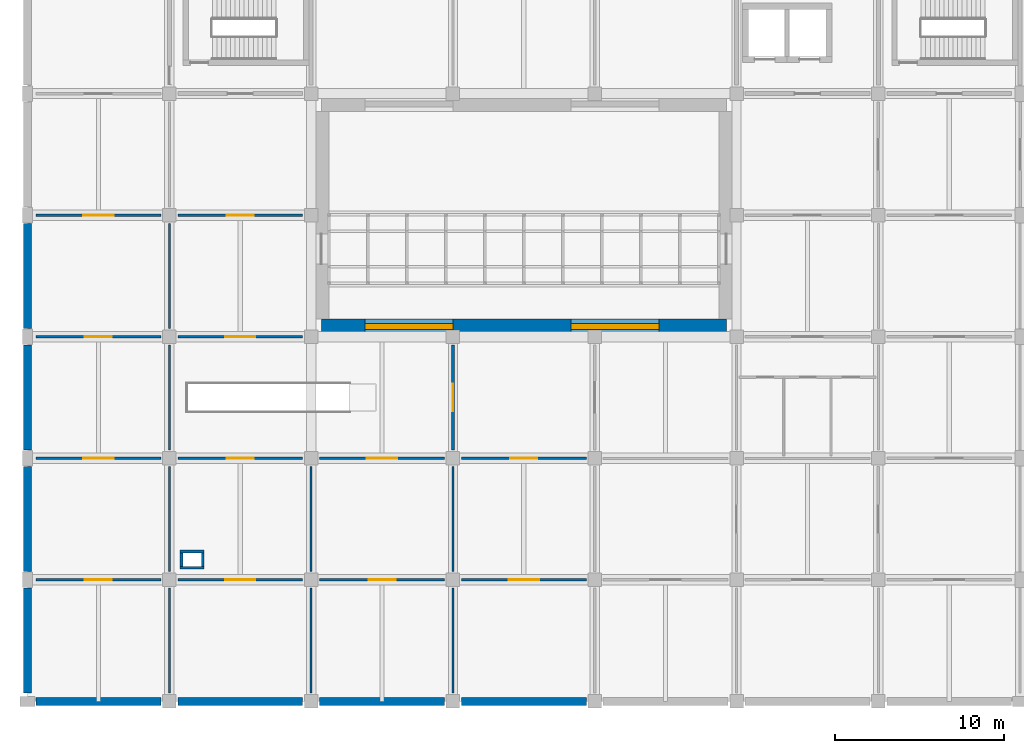
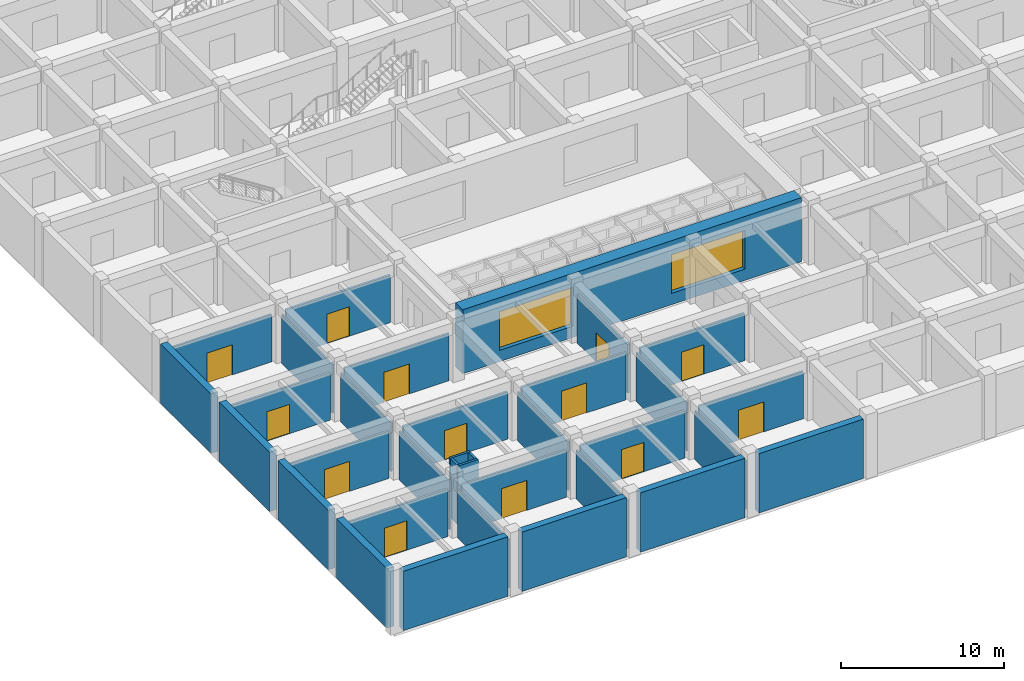
# One storey, part 16 of 32: 34 walls, 13 doors, 2 windows, 15 openings.
"""IFC4 building model written with IfcOpenShell, lengths in metres."""

import ifcopenshell
import ifcopenshell.guid

model = None  # the IFC model being written
_history = None  # IfcOwnerHistory: only IFC2X3 demands one
_inside = {}  # id of a spatial element -> (the spatial element, [elements in it])
_under = {}  # id of a project, library or spatial element -> (it, [spatial elements below it])
_declared = {}  # id of a project -> (the project, [libraries it declares])
_typed = {}  # id of a type object -> (the type object, [elements of that type])
_made_of = {}  # id of a material, layer set ... -> (it, [elements and type objects made of it])


def new_model(schema):
    """Start an empty IFC model of exactly this schema.

    Asked for "IFC4X3", IfcOpenShell would pick the latest addendum, in which some entities
    have other attributes; the version numbers below select the first issue.
    IFC2X3 requires an IfcOwnerHistory on every rooted entity: one is made here for all.
    """
    global model, _history
    if schema == "IFC4X3":
        model = ifcopenshell.file(schema_version=(4, 3, 0, 0))
    else:
        model = ifcopenshell.file(schema=schema)
    _inside.clear()
    _under.clear()
    _declared.clear()
    _typed.clear()
    _made_of.clear()
    _history = None
    if model.schema == "IFC2X3":
        org = make("IfcOrganization", Name="unknown")
        user = make(
            "IfcPersonAndOrganization",
            ThePerson=make("IfcPerson", FamilyName="unknown"),
            TheOrganization=org,
        )
        app = make(
            "IfcApplication",
            ApplicationDeveloper=org,
            Version="unknown",
            ApplicationFullName="unknown",
            ApplicationIdentifier="unknown",
        )
        _history = make(
            "IfcOwnerHistory",
            OwningUser=user,
            OwningApplication=app,
            ChangeAction="ADDED",
            CreationDate=0,
        )
    return model


def make(cls, **values):
    """One entity of the class cls with the attributes given. An attribute that is None is left unset."""
    return model.create_entity(
        cls, **{name: value for name, value in values.items() if value is not None}
    )


def rooted(cls, **values):
    """An entity with a GlobalId (a new one), such as an element, a storey or a relation."""
    return make(cls, GlobalId=ifcopenshell.guid.new(), OwnerHistory=_history, **values)


def si_unit(unit_type, name, prefix=None):
    """IfcSIUnit, for example si_unit("LENGTHUNIT", "METRE", prefix="MILLI")."""
    return make("IfcSIUnit", UnitType=unit_type, Prefix=prefix, Name=name)


def derived_unit(unit_type, elements):
    """IfcDerivedUnit: a product of units, each with its exponent."""
    return make(
        "IfcDerivedUnit",
        Elements=[
            make("IfcDerivedUnitElement", Unit=unit, Exponent=power)
            for unit, power in elements
        ],
        UnitType=unit_type,
    )


def assignment(units):
    """IfcUnitAssignment: the units of a project."""
    return None if units is None else make("IfcUnitAssignment", Units=units)


def point(xyz):
    """IfcCartesianPoint."""
    return None if xyz is None else make("IfcCartesianPoint", Coordinates=xyz)


def direction(xyz):
    """IfcDirection."""
    return None if xyz is None else make("IfcDirection", DirectionRatios=xyz)


def frame(location, z_axis=None, x_axis=None):
    """IfcAxis2Placement3D, a coordinate frame: its origin and axes. An axis left out is left unset."""
    return make(
        "IfcAxis2Placement3D",
        Location=point(location),
        Axis=direction(z_axis),
        RefDirection=direction(x_axis),
    )


def frame_2d(location, x_axis=None):
    """IfcAxis2Placement2D, a coordinate frame in the plane: its origin and x axis."""
    return make(
        "IfcAxis2Placement2D", Location=point(location), RefDirection=direction(x_axis)
    )


def origin():
    """The frame at (0, 0, 0) with its axes left unset."""
    return frame((0.0, 0.0, 0.0))


def place(relative_to, where):
    """IfcLocalPlacement: puts the frame where relative to a parent placement (None: the world)."""
    return make(
        "IfcLocalPlacement", PlacementRelTo=relative_to, RelativePlacement=where
    )


def context(
    kind, dimensions, precision=None, world=None, true_north=None, identifier=None
):
    """IfcGeometricRepresentationContext, for example the 3D "Model" context."""
    return make(
        "IfcGeometricRepresentationContext",
        ContextIdentifier=identifier,
        ContextType=kind,
        CoordinateSpaceDimension=dimensions,
        Precision=precision,
        WorldCoordinateSystem=world,
        TrueNorth=true_north,
    )


def subcontext(parent, identifier, kind, view, scale=None):
    """IfcGeometricRepresentationSubContext, for example "Body" below "Model"."""
    return make(
        "IfcGeometricRepresentationSubContext",
        ContextIdentifier=identifier,
        ContextType=kind,
        ParentContext=parent,
        TargetScale=scale,
        TargetView=view,
    )


def project(units=None, contexts=None):
    """IfcProject with its units and contexts."""
    return rooted(
        "IfcProject",
        Name="project",
        RepresentationContexts=contexts,
        UnitsInContext=assignment(units),
    )


def spatial(cls, under=None, at=None, **own):
    """A site, building, storey or space (cls), placed at a placement, below another one or the project."""
    s = rooted(cls, ObjectPlacement=at, **own)
    if under is not None:
        _under.setdefault(under.id(), (under, []))[1].append(s)
    return s


def profile(cls, at=None, kind="AREA", **sizes):
    """A parametric profile (cls). Its sizes go by their IFC names, for example OverallWidth=200.0."""
    return make(cls, ProfileType=kind, Position=at, **sizes)


def rectangle(**sizes):
    """IfcRectangleProfileDef."""
    return profile("IfcRectangleProfileDef", **sizes)


def extrude(swept, where, along, depth):
    """IfcExtrudedAreaSolid: the profile swept, set in the frame where, extruded along a direction by depth."""
    return make(
        "IfcExtrudedAreaSolid",
        SweptArea=swept,
        Position=where,
        ExtrudedDirection=direction(along),
        Depth=depth,
    )


def shape(context_of_items, identifier, shape_type, items):
    """IfcShapeRepresentation: the items that make up one representation, for example the "Body"."""
    return make(
        "IfcShapeRepresentation",
        ContextOfItems=context_of_items,
        RepresentationIdentifier=identifier,
        RepresentationType=shape_type,
        Items=items,
    )


def material(Name=None, Category=None):
    """IfcMaterial."""
    return make("IfcMaterial", Name=Name, Category=Category)


def layer(
    of_material, thickness, ventilated=None, Name=None, Category=None, Priority=None
):
    """IfcMaterialLayer: one layer of a wall or slab, of a material (None: an air gap)."""
    return make(
        "IfcMaterialLayer",
        Material=of_material,
        LayerThickness=thickness,
        IsVentilated=ventilated,
        Name=Name,
        Category=Category,
        Priority=Priority,
    )


def layer_set(layers, Name=None):
    """IfcMaterialLayerSet."""
    return make("IfcMaterialLayerSet", MaterialLayers=layers, LayerSetName=Name)


def made_of(thing, what):
    """Note that an element or type object is made of a material, layer set ...; save() writes the relation."""
    if what is not None:
        _made_of.setdefault(what.id(), (what, []))[1].append(thing)
    return thing


def type_object(cls, material=None, **own):
    """A type object (cls), such as IfcWallType, which elements share."""
    return made_of(rooted(cls, **own), material)


def element(
    cls,
    number,
    at=None,
    inside=None,
    cuts=None,
    type_object=None,
    material=None,
    context=None,
    identifier="Body",
    shape_type=None,
    held_by="IfcProductDefinitionShape",
    body=None,
    shapes=None,
    **own,
):
    """One element of the class cls, such as IfcWall. Its Tag is "e" and its number.

    at: its placement. inside: the storey or other place that contains it. cuts: it is an
    opening in that element (IfcRelVoidsElement). A single representation is given by context,
    identifier, shape_type and body (its items); several are given by shapes. held_by: the class
    of the entity that holds the representations. save() writes the other relations.
    """
    e = rooted(cls, Tag="e%d" % number, ObjectPlacement=at, **own)
    if body is not None:
        shapes = [shape(context, identifier, shape_type, body)]
    if shapes is not None:
        e.Representation = make(held_by, Representations=shapes)
    if inside is not None:
        _inside.setdefault(inside.id(), (inside, []))[1].append(e)
    if cuts is not None:
        rooted(
            "IfcRelVoidsElement", RelatingBuildingElement=cuts, RelatedOpeningElement=e
        )
    if type_object is not None:
        _typed.setdefault(type_object.id(), (type_object, []))[1].append(e)
    return made_of(e, material)


def fill(opening, filler):
    """IfcRelFillsElement: the door or window that sits in an opening."""
    return rooted(
        "IfcRelFillsElement",
        RelatingOpeningElement=opening,
        RelatedBuildingElement=filler,
    )


def aggregate(whole, parts):
    """IfcRelAggregates: a whole, such as a stair, and the parts it consists of."""
    return rooted("IfcRelAggregates", RelatingObject=whole, RelatedObjects=parts)


def save(model, path):
    """Write the relations noted so far, then the file.

    IfcRelAggregates (storeys below a building ...), IfcRelContainedInSpatialStructure (elements
    in a storey), IfcRelDefinesByType, IfcRelAssociatesMaterial and IfcRelDeclares: one each for
    every whole, place, type object, material and project.
    """
    for whole, parts in _under.values():
        aggregate(whole, parts)
    for where, things in _inside.values():
        rooted(
            "IfcRelContainedInSpatialStructure",
            RelatedElements=things,
            RelatingStructure=where,
        )
    for kind, things in _typed.values():
        rooted("IfcRelDefinesByType", RelatedObjects=things, RelatingType=kind)
    for what, things in _made_of.values():
        rooted("IfcRelAssociatesMaterial", RelatedObjects=things, RelatingMaterial=what)
    for by, libraries in _declared.values():
        rooted("IfcRelDeclares", RelatingContext=by, RelatedDefinitions=libraries)
    model.write(path)


model = new_model("IFC4")

# Units and contexts
model_context = context("Model", 3, precision=1e-05, world=origin(), true_north=direction((0.0, 1.0)))
body_context = subcontext(model_context, "Body", "Model", "MODEL_VIEW")
ifc_project = project(units=[si_unit("LENGTHUNIT", "METRE"), si_unit("AREAUNIT", "SQUARE_METRE"), si_unit("VOLUMEUNIT", "CUBIC_METRE"), si_unit("PLANEANGLEUNIT", "RADIAN"), si_unit("MASSUNIT", "GRAM", prefix="KILO"), derived_unit("THERMALTRANSMITTANCEUNIT", [(si_unit("MASSUNIT", "GRAM", prefix="KILO"), 1), (si_unit("TIMEUNIT", "SECOND"), -3), (si_unit("THERMODYNAMICTEMPERATUREUNIT", "KELVIN"), -1)])], contexts=[model_context])

# Site, building, storey
site_placement = place(None, origin())
site = spatial("IfcSite", under=ifc_project, at=site_placement, CompositionType="ELEMENT")
building_placement = place(site_placement, origin())
building = spatial("IfcBuilding", under=site, at=building_placement, Name="Veldstrom Oceanarium and Marine Research Institute", CompositionType="ELEMENT")
storey_placement = place(building_placement, frame((0.0, 0.0, -4.800048828125)))
storey = spatial("IfcBuildingStorey", under=building, at=storey_placement, Name="B01", CompositionType="ELEMENT", Elevation=-4.800048828125)

# Wall, opening, door
ifc_material_1 = material(Name="Drywall Corridor Partition", Category="gypsum")
ifc_layer_1 = layer(ifc_material_1, 0.155029296875)
ifc_layer_set_1 = layer_set([ifc_layer_1], Name="ARC-WAL-PT4")
wall_type_1 = type_object("IfcWallType", Name="ARC-WAL-PT4", PredefinedType="PARTITIONING", material=ifc_layer_set_1)
wall_1_placement = place(storey_placement, frame((0.5, 7.199951171875, 0.0), z_axis=(0.0, 0.0, 1.0), x_axis=(1.0, 0.0, 0.0)))
wall_1 = element("IfcWall", 1, at=wall_1_placement, inside=storey, type_object=wall_type_1, Name="Interior Partition PT4 B01-0299", PredefinedType="PARTITIONING", context=body_context, shape_type="SweptSolid", body=[
    extrude(rectangle(XDim=7.39990234375, YDim=0.155029296875, at=frame_2d((3.699951171875, 0.0))), origin(), (0.0, 0.0, 1.0), 3.545166015625),
])
opening_1_placement = place(wall_1_placement, frame((2.89990234375, 0.0, 0.0)))
opening_1 = element("IfcOpeningElement", 2, at=opening_1_placement, cuts=wall_1, Name="Opening D-B01-175", PredefinedType="OPENING", context=body_context, shape_type="SweptSolid", body=[
    extrude(rectangle(XDim=1.60009765625, YDim=2.199951171875, at=frame_2d((0.800048828125, 1.10009765625))), frame((0.0, 0.08740234375, 0.0), z_axis=(0.0, -1.0, 0.0), x_axis=(1.0, 0.0, 0.0)), (0.0, 0.0, 1.0), 0.175048828125),
])
ifc_material_2 = material(Name="Acoustic Timber Corridor Door", Category="wood")
door_type_1 = type_object("IfcDoorType", Name="ARC-DOR-ID02", OperationType="DOUBLE_DOOR_SINGLE_SWING", PredefinedType="DOOR", material=ifc_material_2)
door_1_placement = place(opening_1_placement, frame((1.60009765625, 0.0, 0.0), z_axis=(0.0, 0.0, 1.0), x_axis=(-1.0, 0.0, 0.0)))
door_1 = element("IfcDoor", 3, at=door_1_placement, inside=storey, type_object=door_type_1, Name="Interior Door D-B01-175", OperationType="DOUBLE_DOOR_SINGLE_SWING", OverallHeight=2.199951171875, OverallWidth=1.60009765625, PredefinedType="DOOR", context=body_context, shape_type="SweptSolid", body=[
    extrude(rectangle(XDim=1.60009765625, YDim=2.199951171875, at=frame_2d((0.800048828125, 1.10009765625))), frame((0.0, 0.02490234375, 0.0), z_axis=(0.0, -1.0, 0.0), x_axis=(1.0, 0.0, 0.0)), (0.0, 0.0, 1.0), 0.050048828125),
])
fill(opening_1, door_1)

wall_2_placement = place(storey_placement, frame((0.5, 21.60009765625, 0.0), z_axis=(0.0, 0.0, 1.0), x_axis=(1.0, 0.0, 0.0)))
wall_2 = element("IfcWall", 4, at=wall_2_placement, inside=storey, type_object=wall_type_1, Name="Interior Partition PT4 B01-0303", PredefinedType="PARTITIONING", context=body_context, shape_type="SweptSolid", body=[
    extrude(rectangle(XDim=7.39990234375, YDim=0.155029296875, at=frame_2d((3.699951171875, 0.0))), origin(), (0.0, 0.0, 1.0), 3.545166015625),
])
opening_2_placement = place(wall_2_placement, frame((2.89990234375, 0.0, 0.0)))
opening_2 = element("IfcOpeningElement", 5, at=opening_2_placement, cuts=wall_2, Name="Opening D-B01-177", PredefinedType="OPENING", context=body_context, shape_type="SweptSolid", body=[
    extrude(rectangle(XDim=1.60009765625, YDim=2.199951171875, at=frame_2d((0.800048828125, 1.10009765625))), frame((0.0, 0.08740234375, 0.0), z_axis=(0.0, -1.0, 0.0), x_axis=(1.0, 0.0, 0.0)), (0.0, 0.0, 1.0), 0.175048828125),
])
door_2_placement = place(opening_2_placement, frame((1.60009765625, 0.0, 0.0), z_axis=(0.0, 0.0, 1.0), x_axis=(-1.0, 0.0, 0.0)))
door_2 = element("IfcDoor", 6, at=door_2_placement, inside=storey, type_object=door_type_1, Name="Interior Door D-B01-177", OperationType="DOUBLE_DOOR_SINGLE_SWING", OverallHeight=2.199951171875, OverallWidth=1.60009765625, PredefinedType="DOOR", context=body_context, shape_type="SweptSolid", body=[
    extrude(rectangle(XDim=1.60009765625, YDim=2.199951171875, at=frame_2d((0.800048828125, 1.10009765625))), frame((0.0, 0.02490234375, 0.0), z_axis=(0.0, -1.0, 0.0), x_axis=(1.0, 0.0, 0.0)), (0.0, 0.0, 1.0), 0.050048828125),
])
fill(opening_2, door_2)

wall_3_placement = place(storey_placement, frame((8.89990234375, 14.39990234375, 0.0), z_axis=(0.0, 0.0, 1.0), x_axis=(1.0, 0.0, 0.0)))
wall_3 = element("IfcWall", 7, at=wall_3_placement, inside=storey, type_object=wall_type_1, Name="Interior Partition PT4 B01-0320", PredefinedType="PARTITIONING", context=body_context, shape_type="SweptSolid", body=[
    extrude(rectangle(XDim=7.400146484375, YDim=0.155029296875, at=frame_2d((3.7001953125, 0.0))), origin(), (0.0, 0.0, 1.0), 3.545166015625),
])
opening_3_placement = place(wall_3_placement, frame((2.89990234375, 0.0, 0.0)))
opening_3 = element("IfcOpeningElement", 8, at=opening_3_placement, cuts=wall_3, Name="Opening D-B01-187", PredefinedType="OPENING", context=body_context, shape_type="SweptSolid", body=[
    extrude(rectangle(XDim=1.60009765625, YDim=2.199951171875, at=frame_2d((0.800048828125, 1.10009765625))), frame((0.0, 0.08740234375, 0.0), z_axis=(0.0, -1.0, 0.0), x_axis=(1.0, 0.0, 0.0)), (0.0, 0.0, 1.0), 0.175048828125),
])
door_3_placement = place(opening_3_placement, frame((1.60009765625, 0.0, 0.0), z_axis=(0.0, 0.0, 1.0), x_axis=(-1.0, 0.0, 0.0)))
door_3 = element("IfcDoor", 9, at=door_3_placement, inside=storey, type_object=door_type_1, Name="Interior Door D-B01-187", OperationType="DOUBLE_DOOR_SINGLE_SWING", OverallHeight=2.199951171875, OverallWidth=1.60009765625, PredefinedType="DOOR", context=body_context, shape_type="SweptSolid", body=[
    extrude(rectangle(XDim=1.60009765625, YDim=2.199951171875, at=frame_2d((0.800048828125, 1.10009765625))), frame((0.0, 0.02490234375, 0.0), z_axis=(0.0, -1.0, 0.0), x_axis=(1.0, 0.0, 0.0)), (0.0, 0.0, 1.0), 0.050048828125),
])
fill(opening_3, door_3)

wall_4_placement = place(storey_placement, frame((8.89990234375, 28.800048828125, 0.0), z_axis=(0.0, 0.0, 1.0), x_axis=(1.0, 0.0, 0.0)))
wall_4 = element("IfcWall", 10, at=wall_4_placement, inside=storey, type_object=wall_type_1, Name="Interior Partition PT4 B01-0322", PredefinedType="PARTITIONING", context=body_context, shape_type="SweptSolid", body=[
    extrude(rectangle(XDim=7.400146484375, YDim=0.155029296875, at=frame_2d((3.7001953125, 0.0))), origin(), (0.0, 0.0, 1.0), 3.545166015625),
])
opening_4_placement = place(wall_4_placement, frame((2.89990234375, 0.0, 0.0)))
opening_4 = element("IfcOpeningElement", 11, at=opening_4_placement, cuts=wall_4, Name="Opening D-B01-189", PredefinedType="OPENING", context=body_context, shape_type="SweptSolid", body=[
    extrude(rectangle(XDim=1.60009765625, YDim=2.199951171875, at=frame_2d((0.800048828125, 1.10009765625))), frame((0.0, 0.08740234375, 0.0), z_axis=(0.0, -1.0, 0.0), x_axis=(1.0, 0.0, 0.0)), (0.0, 0.0, 1.0), 0.175048828125),
])
door_4_placement = place(opening_4_placement, frame((1.60009765625, 0.0, 0.0), z_axis=(0.0, 0.0, 1.0), x_axis=(-1.0, 0.0, 0.0)))
door_4 = element("IfcDoor", 12, at=door_4_placement, inside=storey, type_object=door_type_1, Name="Interior Door D-B01-189", OperationType="DOUBLE_DOOR_SINGLE_SWING", OverallHeight=2.199951171875, OverallWidth=1.60009765625, PredefinedType="DOOR", context=body_context, shape_type="SweptSolid", body=[
    extrude(rectangle(XDim=1.60009765625, YDim=2.199951171875, at=frame_2d((0.800048828125, 1.10009765625))), frame((0.0, 0.02490234375, 0.0), z_axis=(0.0, -1.0, 0.0), x_axis=(1.0, 0.0, 0.0)), (0.0, 0.0, 1.0), 0.050048828125),
])
fill(opening_4, door_4)

wall_5_placement = place(storey_placement, frame((17.300048828125, 7.199951171875, 0.0), z_axis=(0.0, 0.0, 1.0), x_axis=(1.0, 0.0, 0.0)))
wall_5 = element("IfcWall", 13, at=wall_5_placement, inside=storey, type_object=wall_type_1, Name="Interior Partition PT4 B01-0334", PredefinedType="PARTITIONING", context=body_context, shape_type="SweptSolid", body=[
    extrude(rectangle(XDim=7.39990234375, YDim=0.155029296875, at=frame_2d((3.699951171875, 0.0))), origin(), (0.0, 0.0, 1.0), 3.545166015625),
])
opening_5_placement = place(wall_5_placement, frame((2.89990234375, 0.0, 0.0)))
opening_5 = element("IfcOpeningElement", 14, at=opening_5_placement, cuts=wall_5, Name="Opening D-B01-195", PredefinedType="OPENING", context=body_context, shape_type="SweptSolid", body=[
    extrude(rectangle(XDim=1.60009765625, YDim=2.199951171875, at=frame_2d((0.800048828125, 1.10009765625))), frame((0.0, 0.08740234375, 0.0), z_axis=(0.0, -1.0, 0.0), x_axis=(1.0, 0.0, 0.0)), (0.0, 0.0, 1.0), 0.175048828125),
])
door_5_placement = place(opening_5_placement, frame((1.60009765625, 0.0, 0.0), z_axis=(0.0, 0.0, 1.0), x_axis=(-1.0, 0.0, 0.0)))
door_5 = element("IfcDoor", 15, at=door_5_placement, inside=storey, type_object=door_type_1, Name="Interior Door D-B01-195", OperationType="DOUBLE_DOOR_SINGLE_SWING", OverallHeight=2.199951171875, OverallWidth=1.60009765625, PredefinedType="DOOR", context=body_context, shape_type="SweptSolid", body=[
    extrude(rectangle(XDim=1.60009765625, YDim=2.199951171875, at=frame_2d((0.800048828125, 1.10009765625))), frame((0.0, 0.02490234375, 0.0), z_axis=(0.0, -1.0, 0.0), x_axis=(1.0, 0.0, 0.0)), (0.0, 0.0, 1.0), 0.050048828125),
])
fill(opening_5, door_5)

wall_6_placement = place(storey_placement, frame((25.199951171875, 14.89990234375, 0.0), z_axis=(0.0, 0.0, 1.0), x_axis=(0.0, 1.0, 0.0)))
wall_6 = element("IfcWall", 16, at=wall_6_placement, inside=storey, type_object=wall_type_1, Name="Interior Partition PT4 B01-0337", PredefinedType="PARTITIONING", context=body_context, shape_type="SweptSolid", body=[
    extrude(rectangle(XDim=6.2001953125, YDim=0.155029296875, at=frame_2d((3.10009765625, 0.0))), origin(), (0.0, 0.0, 1.0), 3.64501953125),
])
opening_6_placement = place(wall_6_placement, frame((2.300048828125, 0.0, 0.0)))
opening_6 = element("IfcOpeningElement", 17, at=opening_6_placement, cuts=wall_6, Name="Opening D-B01-197", PredefinedType="OPENING", context=body_context, shape_type="SweptSolid", body=[
    extrude(rectangle(XDim=1.60009765625, YDim=2.199951171875, at=frame_2d((0.800048828125, 1.10009765625))), frame((0.0, 0.08740234375, 0.0), z_axis=(0.0, -1.0, 0.0), x_axis=(1.0, 0.0, 0.0)), (0.0, 0.0, 1.0), 0.175048828125),
])
door_6_placement = place(opening_6_placement, origin())
door_6 = element("IfcDoor", 18, at=door_6_placement, inside=storey, type_object=door_type_1, Name="Interior Door D-B01-197", OperationType="DOUBLE_DOOR_SINGLE_SWING", OverallHeight=2.199951171875, OverallWidth=1.60009765625, PredefinedType="DOOR", context=body_context, shape_type="SweptSolid", body=[
    extrude(rectangle(XDim=1.60009765625, YDim=2.199951171875, at=frame_2d((0.800048828125, 1.10009765625))), frame((0.0, 0.02490234375, 0.0), z_axis=(0.0, -1.0, 0.0), x_axis=(1.0, 0.0, 0.0)), (0.0, 0.0, 1.0), 0.050048828125),
])
fill(opening_6, door_6)

wall_7_placement = place(storey_placement, frame((25.699951171875, 14.39990234375, 0.0), z_axis=(0.0, 0.0, 1.0), x_axis=(1.0, 0.0, 0.0)))
wall_7 = element("IfcWall", 19, at=wall_7_placement, inside=storey, type_object=wall_type_1, Name="Interior Partition PT4 B01-0348", PredefinedType="PARTITIONING", context=body_context, shape_type="SweptSolid", body=[
    extrude(rectangle(XDim=7.400146484375, YDim=0.155029296875, at=frame_2d((3.7001953125, 0.0))), origin(), (0.0, 0.0, 1.0), 3.545166015625),
])
opening_7_placement = place(wall_7_placement, frame((2.89990234375, 0.0, 0.0)))
opening_7 = element("IfcOpeningElement", 20, at=opening_7_placement, cuts=wall_7, Name="Opening D-B01-203", PredefinedType="OPENING", context=body_context, shape_type="SweptSolid", body=[
    extrude(rectangle(XDim=1.60009765625, YDim=2.199951171875, at=frame_2d((0.800048828125, 1.10009765625))), frame((0.0, 0.08740234375, 0.0), z_axis=(0.0, -1.0, 0.0), x_axis=(1.0, 0.0, 0.0)), (0.0, 0.0, 1.0), 0.175048828125),
])
door_7_placement = place(opening_7_placement, frame((1.60009765625, 0.0, 0.0), z_axis=(0.0, 0.0, 1.0), x_axis=(-1.0, 0.0, 0.0)))
door_7 = element("IfcDoor", 21, at=door_7_placement, inside=storey, type_object=door_type_1, Name="Interior Door D-B01-203", OperationType="DOUBLE_DOOR_SINGLE_SWING", OverallHeight=2.199951171875, OverallWidth=1.60009765625, PredefinedType="DOOR", context=body_context, shape_type="SweptSolid", body=[
    extrude(rectangle(XDim=1.60009765625, YDim=2.199951171875, at=frame_2d((0.800048828125, 1.10009765625))), frame((0.0, 0.02490234375, 0.0), z_axis=(0.0, -1.0, 0.0), x_axis=(1.0, 0.0, 0.0)), (0.0, 0.0, 1.0), 0.050048828125),
])
fill(opening_7, door_7)

ifc_material_3 = material(Name="Moisture-Resistant Wet-Area Partition", Category="masonry")
ifc_layer_2 = layer(ifc_material_3, 0.139892578125)
ifc_layer_set_2 = layer_set([ifc_layer_2], Name="ARC-WAL-PT5")
wall_type_2 = type_object("IfcWallType", Name="ARC-WAL-PT5", PredefinedType="PARTITIONING", material=ifc_layer_set_2)
wall_8_placement = place(storey_placement, frame((0.5, 14.39990234375, 0.0), z_axis=(0.0, 0.0, 1.0), x_axis=(1.0, 0.0, 0.0)))
wall_8 = element("IfcWall", 22, at=wall_8_placement, inside=storey, type_object=wall_type_2, Name="Interior Partition PT5 B01-0301", PredefinedType="PARTITIONING", context=body_context, shape_type="SweptSolid", body=[
    extrude(rectangle(XDim=7.39990234375, YDim=0.139892578125, at=frame_2d((3.699951171875, 0.0))), origin(), (0.0, 0.0, 1.0), 3.545166015625),
])
opening_8_placement = place(wall_8_placement, frame((2.800048828125, 0.0, 0.0)))
opening_8 = element("IfcOpeningElement", 23, at=opening_8_placement, cuts=wall_8, Name="Opening D-B01-176", PredefinedType="OPENING", context=body_context, shape_type="SweptSolid", body=[
    extrude(rectangle(XDim=1.800048828125, YDim=2.25, at=frame_2d((0.89990234375, 1.125))), frame((0.0, 0.079833984375, 0.0), z_axis=(0.0, -1.0, 0.0), x_axis=(1.0, 0.0, 0.0)), (0.0, 0.0, 1.0), 0.159912109375),
])
ifc_material_4 = material(Name="Acoustic Timber Gallery Door", Category="wood")
door_type_2 = type_object("IfcDoorType", Name="ARC-DOR-ID01", OperationType="DOUBLE_DOOR_SINGLE_SWING", PredefinedType="DOOR", material=ifc_material_4)
door_8_placement = place(opening_8_placement, origin())
door_8 = element("IfcDoor", 24, at=door_8_placement, inside=storey, type_object=door_type_2, Name="Interior Door D-B01-176", OperationType="DOUBLE_DOOR_SINGLE_SWING", OverallHeight=2.25, OverallWidth=1.800048828125, PredefinedType="DOOR", context=body_context, shape_type="SweptSolid", body=[
    extrude(rectangle(XDim=1.800048828125, YDim=2.25, at=frame_2d((0.89990234375, 1.125))), frame((0.0, 0.02490234375, 0.0), z_axis=(0.0, -1.0, 0.0), x_axis=(1.0, 0.0, 0.0)), (0.0, 0.0, 1.0), 0.050048828125),
])
fill(opening_8, door_8)

wall_9_placement = place(storey_placement, frame((0.5, 28.800048828125, 0.0), z_axis=(0.0, 0.0, 1.0), x_axis=(1.0, 0.0, 0.0)))
wall_9 = element("IfcWall", 25, at=wall_9_placement, inside=storey, type_object=wall_type_2, Name="Interior Partition PT5 B01-0305", PredefinedType="PARTITIONING", context=body_context, shape_type="SweptSolid", body=[
    extrude(rectangle(XDim=7.39990234375, YDim=0.139892578125, at=frame_2d((3.699951171875, 0.0))), origin(), (0.0, 0.0, 1.0), 3.545166015625),
])
opening_9_placement = place(wall_9_placement, frame((2.800048828125, 0.0, 0.0)))
opening_9 = element("IfcOpeningElement", 26, at=opening_9_placement, cuts=wall_9, Name="Opening D-B01-178", PredefinedType="OPENING", context=body_context, shape_type="SweptSolid", body=[
    extrude(rectangle(XDim=1.800048828125, YDim=2.25, at=frame_2d((0.89990234375, 1.125))), frame((0.0, 0.079833984375, 0.0), z_axis=(0.0, -1.0, 0.0), x_axis=(1.0, 0.0, 0.0)), (0.0, 0.0, 1.0), 0.159912109375),
])
door_9_placement = place(opening_9_placement, origin())
door_9 = element("IfcDoor", 27, at=door_9_placement, inside=storey, type_object=door_type_2, Name="Interior Door D-B01-178", OperationType="DOUBLE_DOOR_SINGLE_SWING", OverallHeight=2.25, OverallWidth=1.800048828125, PredefinedType="DOOR", context=body_context, shape_type="SweptSolid", body=[
    extrude(rectangle(XDim=1.800048828125, YDim=2.25, at=frame_2d((0.89990234375, 1.125))), frame((0.0, 0.02490234375, 0.0), z_axis=(0.0, -1.0, 0.0), x_axis=(1.0, 0.0, 0.0)), (0.0, 0.0, 1.0), 0.050048828125),
])
fill(opening_9, door_9)

wall_10_placement = place(storey_placement, frame((8.89990234375, 7.199951171875, 0.0), z_axis=(0.0, 0.0, 1.0), x_axis=(1.0, 0.0, 0.0)))
wall_10 = element("IfcWall", 28, at=wall_10_placement, inside=storey, type_object=wall_type_2, Name="Interior Partition PT5 B01-0318", PredefinedType="PARTITIONING", context=body_context, shape_type="SweptSolid", body=[
    extrude(rectangle(XDim=7.400146484375, YDim=0.139892578125, at=frame_2d((3.7001953125, 0.0))), origin(), (0.0, 0.0, 1.0), 3.545166015625),
])
opening_10_placement = place(wall_10_placement, frame((2.800048828125, 0.0, 0.0)))
opening_10 = element("IfcOpeningElement", 29, at=opening_10_placement, cuts=wall_10, Name="Opening D-B01-186", PredefinedType="OPENING", context=body_context, shape_type="SweptSolid", body=[
    extrude(rectangle(XDim=1.800048828125, YDim=2.25, at=frame_2d((0.89990234375, 1.125))), frame((0.0, 0.079833984375, 0.0), z_axis=(0.0, -1.0, 0.0), x_axis=(1.0, 0.0, 0.0)), (0.0, 0.0, 1.0), 0.159912109375),
])
door_10_placement = place(opening_10_placement, origin())
door_10 = element("IfcDoor", 30, at=door_10_placement, inside=storey, type_object=door_type_2, Name="Interior Door D-B01-186", OperationType="DOUBLE_DOOR_SINGLE_SWING", OverallHeight=2.25, OverallWidth=1.800048828125, PredefinedType="DOOR", context=body_context, shape_type="SweptSolid", body=[
    extrude(rectangle(XDim=1.800048828125, YDim=2.25, at=frame_2d((0.89990234375, 1.125))), frame((0.0, 0.02490234375, 0.0), z_axis=(0.0, -1.0, 0.0), x_axis=(1.0, 0.0, 0.0)), (0.0, 0.0, 1.0), 0.050048828125),
])
fill(opening_10, door_10)

wall_11_placement = place(storey_placement, frame((8.89990234375, 21.60009765625, 0.0), z_axis=(0.0, 0.0, 1.0), x_axis=(1.0, 0.0, 0.0)))
wall_11 = element("IfcWall", 31, at=wall_11_placement, inside=storey, type_object=wall_type_2, Name="Interior Partition PT5 B01-0321", PredefinedType="PARTITIONING", context=body_context, shape_type="SweptSolid", body=[
    extrude(rectangle(XDim=7.400146484375, YDim=0.139892578125, at=frame_2d((3.7001953125, 0.0))), origin(), (0.0, 0.0, 1.0), 3.545166015625),
])
opening_11_placement = place(wall_11_placement, frame((2.800048828125, 0.0, 0.0)))
opening_11 = element("IfcOpeningElement", 32, at=opening_11_placement, cuts=wall_11, Name="Opening D-B01-188", PredefinedType="OPENING", context=body_context, shape_type="SweptSolid", body=[
    extrude(rectangle(XDim=1.800048828125, YDim=2.25, at=frame_2d((0.89990234375, 1.125))), frame((0.0, 0.079833984375, 0.0), z_axis=(0.0, -1.0, 0.0), x_axis=(1.0, 0.0, 0.0)), (0.0, 0.0, 1.0), 0.159912109375),
])
door_11_placement = place(opening_11_placement, origin())
door_11 = element("IfcDoor", 33, at=door_11_placement, inside=storey, type_object=door_type_2, Name="Interior Door D-B01-188", OperationType="DOUBLE_DOOR_SINGLE_SWING", OverallHeight=2.25, OverallWidth=1.800048828125, PredefinedType="DOOR", context=body_context, shape_type="SweptSolid", body=[
    extrude(rectangle(XDim=1.800048828125, YDim=2.25, at=frame_2d((0.89990234375, 1.125))), frame((0.0, 0.02490234375, 0.0), z_axis=(0.0, -1.0, 0.0), x_axis=(1.0, 0.0, 0.0)), (0.0, 0.0, 1.0), 0.050048828125),
])
fill(opening_11, door_11)

wall_12_placement = place(storey_placement, frame((17.300048828125, 14.39990234375, 0.0), z_axis=(0.0, 0.0, 1.0), x_axis=(1.0, 0.0, 0.0)))
wall_12 = element("IfcWall", 34, at=wall_12_placement, inside=storey, type_object=wall_type_2, Name="Interior Partition PT5 B01-0336", PredefinedType="PARTITIONING", context=body_context, shape_type="SweptSolid", body=[
    extrude(rectangle(XDim=7.39990234375, YDim=0.139892578125, at=frame_2d((3.699951171875, 0.0))), origin(), (0.0, 0.0, 1.0), 3.545166015625),
])
opening_12_placement = place(wall_12_placement, frame((2.800048828125, 0.0, 0.0)))
opening_12 = element("IfcOpeningElement", 35, at=opening_12_placement, cuts=wall_12, Name="Opening D-B01-196", PredefinedType="OPENING", context=body_context, shape_type="SweptSolid", body=[
    extrude(rectangle(XDim=1.800048828125, YDim=2.25, at=frame_2d((0.89990234375, 1.125))), frame((0.0, 0.079833984375, 0.0), z_axis=(0.0, -1.0, 0.0), x_axis=(1.0, 0.0, 0.0)), (0.0, 0.0, 1.0), 0.159912109375),
])
door_12_placement = place(opening_12_placement, origin())
door_12 = element("IfcDoor", 36, at=door_12_placement, inside=storey, type_object=door_type_2, Name="Interior Door D-B01-196", OperationType="DOUBLE_DOOR_SINGLE_SWING", OverallHeight=2.25, OverallWidth=1.800048828125, PredefinedType="DOOR", context=body_context, shape_type="SweptSolid", body=[
    extrude(rectangle(XDim=1.800048828125, YDim=2.25, at=frame_2d((0.89990234375, 1.125))), frame((0.0, 0.02490234375, 0.0), z_axis=(0.0, -1.0, 0.0), x_axis=(1.0, 0.0, 0.0)), (0.0, 0.0, 1.0), 0.050048828125),
])
fill(opening_12, door_12)

wall_13_placement = place(storey_placement, frame((25.699951171875, 7.199951171875, 0.0), z_axis=(0.0, 0.0, 1.0), x_axis=(1.0, 0.0, 0.0)))
wall_13 = element("IfcWall", 37, at=wall_13_placement, inside=storey, type_object=wall_type_2, Name="Interior Partition PT5 B01-0346", PredefinedType="PARTITIONING", context=body_context, shape_type="SweptSolid", body=[
    extrude(rectangle(XDim=7.400146484375, YDim=0.139892578125, at=frame_2d((3.7001953125, 0.0))), origin(), (0.0, 0.0, 1.0), 3.545166015625),
])
opening_13_placement = place(wall_13_placement, frame((2.800048828125, 0.0, 0.0)))
opening_13 = element("IfcOpeningElement", 38, at=opening_13_placement, cuts=wall_13, Name="Opening D-B01-202", PredefinedType="OPENING", context=body_context, shape_type="SweptSolid", body=[
    extrude(rectangle(XDim=1.800048828125, YDim=2.25, at=frame_2d((0.89990234375, 1.125))), frame((0.0, 0.079833984375, 0.0), z_axis=(0.0, -1.0, 0.0), x_axis=(1.0, 0.0, 0.0)), (0.0, 0.0, 1.0), 0.159912109375),
])
door_13_placement = place(opening_13_placement, origin())
door_13 = element("IfcDoor", 39, at=door_13_placement, inside=storey, type_object=door_type_2, Name="Interior Door D-B01-202", OperationType="DOUBLE_DOOR_SINGLE_SWING", OverallHeight=2.25, OverallWidth=1.800048828125, PredefinedType="DOOR", context=body_context, shape_type="SweptSolid", body=[
    extrude(rectangle(XDim=1.800048828125, YDim=2.25, at=frame_2d((0.89990234375, 1.125))), frame((0.0, 0.02490234375, 0.0), z_axis=(0.0, -1.0, 0.0), x_axis=(1.0, 0.0, 0.0)), (0.0, 0.0, 1.0), 0.050048828125),
])
fill(opening_13, door_13)

# Walls
ifc_material_5 = material(Name="Lightweight Studio Partition", Category="gypsum")
ifc_layer_3 = layer(ifc_material_5, 0.1201171875)
ifc_layer_set_3 = layer_set([ifc_layer_3], Name="ARC-WAL-PT6")
wall_type_3 = type_object("IfcWallType", Name="ARC-WAL-PT6", PredefinedType="PARTITIONING", material=ifc_layer_set_3)
for number, where, z_axis, x_axis, name in (
    (40, (8.39990234375, 0.5, 0.0), (0.0, 0.0, 1.0), (0.0, 1.0, 0.0), "Interior Partition PT6 B01-0298"),
    (41, (8.39990234375, 7.699951171875, 0.0), (0.0, 0.0, 1.0), (0.0, 1.0, 0.0), "Interior Partition PT6 B01-0300"),
):
    element("IfcWall", number, at=place(storey_placement, frame(where, z_axis=z_axis, x_axis=x_axis)), inside=storey, type_object=wall_type_3, Name=name, PredefinedType="PARTITIONING", context=body_context, shape_type="SweptSolid", body=[
        extrude(rectangle(XDim=6.199951171875, YDim=0.1201171875, at=frame_2d((3.10009765625, 0.0))), origin(), (0.0, 0.0, 1.0), 3.64501953125),
    ])
wall_14_placement = place(storey_placement, frame((8.39990234375, 14.89990234375, 0.0), z_axis=(0.0, 0.0, 1.0), x_axis=(0.0, 1.0, 0.0)))
element("IfcWall", 42, at=wall_14_placement, inside=storey, type_object=wall_type_3, Name="Interior Partition PT6 B01-0302", PredefinedType="PARTITIONING", context=body_context, shape_type="SweptSolid", body=[
    extrude(rectangle(XDim=6.2001953125, YDim=0.1201171875, at=frame_2d((3.10009765625, 0.0))), origin(), (0.0, 0.0, 1.0), 3.64501953125),
])
for number, where, z_axis, x_axis, name in (
    (43, (8.39990234375, 22.10009765625, 0.0), (0.0, 0.0, 1.0), (0.0, 1.0, 0.0), "Interior Partition PT6 B01-0304"),
    (44, (16.800048828125, 0.5, 0.0), (0.0, 0.0, 1.0), (0.0, 1.0, 0.0), "Interior Partition PT6 B01-0317"),
    (45, (16.800048828125, 7.699951171875, 0.0), (0.0, 0.0, 1.0), (0.0, 1.0, 0.0), "Interior Partition PT6 B01-0319"),
    (46, (25.199951171875, 0.5, 0.0), (0.0, 0.0, 1.0), (0.0, 1.0, 0.0), "Interior Partition PT6 B01-0333"),
    (47, (25.199951171875, 7.699951171875, 0.0), (0.0, 0.0, 1.0), (0.0, 1.0, 0.0), "Interior Partition PT6 B01-0335"),
):
    element("IfcWall", number, at=place(storey_placement, frame(where, z_axis=z_axis, x_axis=x_axis)), inside=storey, type_object=wall_type_3, Name=name, PredefinedType="PARTITIONING", context=body_context, shape_type="SweptSolid", body=[
        extrude(rectangle(XDim=6.199951171875, YDim=0.1201171875, at=frame_2d((3.10009765625, 0.0))), origin(), (0.0, 0.0, 1.0), 3.64501953125),
    ])
ifc_material_6 = material(Name="Service Riser Fire Shaft Wall", Category="masonry")
ifc_layer_4 = layer(ifc_material_6, 0.1650390625)
ifc_layer_set_4 = layer_set([ifc_layer_4], Name="ARC-WAL-PT9")
wall_type_4 = type_object("IfcWallType", Name="ARC-WAL-PT9", PredefinedType="PARTITIONING", material=ifc_layer_set_4)
for number, where, z_axis, x_axis, name in (
    (48, (9.034912109375, 7.91748046875, 0.0), (0.0, 0.0, 1.0), (1.0, 0.0, 0.0), "Service Riser Fire Shaft Wall B01-WS-S"),
    (49, (9.034912109375, 8.882568359375, 0.0), (0.0, 0.0, 1.0), (1.0, 0.0, 0.0), "Service Riser Fire Shaft Wall B01-WS-N"),
):
    element("IfcWall", number, at=place(storey_placement, frame(where, z_axis=z_axis, x_axis=x_axis)), inside=storey, type_object=wall_type_4, Name=name, PredefinedType="PARTITIONING", context=body_context, shape_type="SweptSolid", body=[
        extrude(rectangle(XDim=1.43017578125, YDim=0.1650390625, at=frame_2d((0.715087890625, 0.0))), origin(), (0.0, 0.0, 1.0), 4.449951171875),
    ])
for number, where, z_axis, x_axis, name in (
    (50, (9.117431640625, 8.0, 0.0), (0.0, 0.0, 1.0), (0.0, 1.0, 0.0), "Service Riser Fire Shaft Wall B01-WS-W"),
    (51, (10.382568359375, 8.0, 0.0), (0.0, 0.0, 1.0), (0.0, 1.0, 0.0), "Service Riser Fire Shaft Wall B01-WS-E"),
):
    element("IfcWall", number, at=place(storey_placement, frame(where, z_axis=z_axis, x_axis=x_axis)), inside=storey, type_object=wall_type_4, Name=name, PredefinedType="PARTITIONING", context=body_context, shape_type="SweptSolid", body=[
        extrude(rectangle(XDim=0.800048828125, YDim=0.1650390625, at=frame_2d((0.39990234375, 0.0))), origin(), (0.0, 0.0, 1.0), 4.449951171875),
    ])
ifc_material_7 = material(Name="Concrete C40/50", Category="concrete")
ifc_layer_5 = layer(ifc_material_7, 0.47998046875)
ifc_layer_set_5 = layer_set([ifc_layer_5], Name="STR-WAL-WR2")
wall_type_5 = type_object("IfcWallType", Name="STR-WAL-WR2", PredefinedType="USERDEFINED", material=ifc_layer_set_5)
wall_15_placement = place(storey_placement, frame((0.5, 0.0, 0.0), z_axis=(0.0, 0.0, 1.0), x_axis=(1.0, 0.0, 0.0)))
element("IfcWall", 52, at=wall_15_placement, inside=storey, type_object=wall_type_5, Name="Basement Retaining Wall WR2-B01-001", ObjectType="Retaining wall", PredefinedType="USERDEFINED", context=body_context, shape_type="SweptSolid", body=[
    extrude(rectangle(XDim=7.39990234375, YDim=0.47998046875, at=frame_2d((3.699951171875, 0.0))), origin(), (0.0, 0.0, 1.0), 4.449951171875),
])
for number, where, z_axis, x_axis, name in (
    (53, (0.0, 0.5, 0.0), (0.0, 0.0, 1.0), (0.0, 1.0, 0.0), "Basement Retaining Wall WR2-B01-002"),
    (54, (0.0, 7.699951171875, 0.0), (0.0, 0.0, 1.0), (0.0, 1.0, 0.0), "Basement Retaining Wall WR2-B01-003"),
):
    element("IfcWall", number, at=place(storey_placement, frame(where, z_axis=z_axis, x_axis=x_axis)), inside=storey, type_object=wall_type_5, Name=name, ObjectType="Retaining wall", PredefinedType="USERDEFINED", context=body_context, shape_type="SweptSolid", body=[
        extrude(rectangle(XDim=6.199951171875, YDim=0.47998046875, at=frame_2d((3.10009765625, 0.0))), origin(), (0.0, 0.0, 1.0), 4.449951171875),
    ])
wall_16_placement = place(storey_placement, frame((0.0, 14.89990234375, 0.0), z_axis=(0.0, 0.0, 1.0), x_axis=(0.0, 1.0, 0.0)))
element("IfcWall", 55, at=wall_16_placement, inside=storey, type_object=wall_type_5, Name="Basement Retaining Wall WR2-B01-004", ObjectType="Retaining wall", PredefinedType="USERDEFINED", context=body_context, shape_type="SweptSolid", body=[
    extrude(rectangle(XDim=6.2001953125, YDim=0.47998046875, at=frame_2d((3.10009765625, 0.0))), origin(), (0.0, 0.0, 1.0), 4.449951171875),
])
wall_17_placement = place(storey_placement, frame((0.0, 22.10009765625, 0.0), z_axis=(0.0, 0.0, 1.0), x_axis=(0.0, 1.0, 0.0)))
element("IfcWall", 56, at=wall_17_placement, inside=storey, type_object=wall_type_5, Name="Basement Retaining Wall WR2-B01-005", ObjectType="Retaining wall", PredefinedType="USERDEFINED", context=body_context, shape_type="SweptSolid", body=[
    extrude(rectangle(XDim=6.199951171875, YDim=0.47998046875, at=frame_2d((3.10009765625, 0.0))), origin(), (0.0, 0.0, 1.0), 4.449951171875),
])
wall_18_placement = place(storey_placement, frame((8.89990234375, 0.0, 0.0), z_axis=(0.0, 0.0, 1.0), x_axis=(1.0, 0.0, 0.0)))
element("IfcWall", 57, at=wall_18_placement, inside=storey, type_object=wall_type_5, Name="Basement Retaining Wall WR2-B01-013", ObjectType="Retaining wall", PredefinedType="USERDEFINED", context=body_context, shape_type="SweptSolid", body=[
    extrude(rectangle(XDim=7.400146484375, YDim=0.47998046875, at=frame_2d((3.7001953125, 0.0))), origin(), (0.0, 0.0, 1.0), 4.449951171875),
])
wall_19_placement = place(storey_placement, frame((17.300048828125, 0.0, 0.0), z_axis=(0.0, 0.0, 1.0), x_axis=(1.0, 0.0, 0.0)))
element("IfcWall", 58, at=wall_19_placement, inside=storey, type_object=wall_type_5, Name="Basement Retaining Wall WR2-B01-015", ObjectType="Retaining wall", PredefinedType="USERDEFINED", context=body_context, shape_type="SweptSolid", body=[
    extrude(rectangle(XDim=7.39990234375, YDim=0.47998046875, at=frame_2d((3.699951171875, 0.0))), origin(), (0.0, 0.0, 1.0), 4.449951171875),
])
wall_20_placement = place(storey_placement, frame((25.699951171875, 0.0, 0.0), z_axis=(0.0, 0.0, 1.0), x_axis=(1.0, 0.0, 0.0)))
element("IfcWall", 59, at=wall_20_placement, inside=storey, type_object=wall_type_5, Name="Basement Retaining Wall WR2-B01-017", ObjectType="Retaining wall", PredefinedType="USERDEFINED", context=body_context, shape_type="SweptSolid", body=[
    extrude(rectangle(XDim=7.400146484375, YDim=0.47998046875, at=frame_2d((3.7001953125, 0.0))), origin(), (0.0, 0.0, 1.0), 4.449951171875),
])

# Wall, openings, windows
ifc_material_8 = material(Name="Concrete C40/50", Category="concrete")
ifc_layer_6 = layer(ifc_material_8, 0.89990234375)
ifc_layer_set_6 = layer_set([ifc_layer_6], Name="STR-WAL-WT1")
wall_type_6 = type_object("IfcWallType", Name="STR-WAL-WT1", PredefinedType="SOLIDWALL", material=ifc_layer_set_6)
wall_21_placement = place(storey_placement, frame((17.39990234375, 22.199951171875, 0.0), z_axis=(0.0, 0.0, 1.0), x_axis=(1.0, 0.0, 0.0)))
wall_21 = element("IfcWall", 60, at=wall_21_placement, inside=storey, type_object=wall_type_6, Name="Ocean Tank Waterproof RC Wall B01-S", PredefinedType="SOLIDWALL", context=body_context, shape_type="SweptSolid", body=[
    extrude(rectangle(XDim=24.0, YDim=0.89990234375, at=frame_2d((12.0, 0.0))), origin(), (0.0, 0.0, 1.0), 4.800048828125),
])
opening_14_placement = place(wall_21_placement, frame((2.60009765625, 0.0, 0.85009765625)))
opening_14 = element("IfcOpeningElement", 61, at=opening_14_placement, cuts=wall_21, Name="Opening VW2", PredefinedType="OPENING", context=body_context, shape_type="SweptSolid", body=[
    extrude(rectangle(XDim=5.199951171875, YDim=2.89990234375, at=frame_2d((2.60009765625, 1.449951171875))), frame((0.0, 0.4599609375, 0.0), z_axis=(0.0, -1.0, 0.0), x_axis=(1.0, 0.0, 0.0)), (0.0, 0.0, 1.0), 0.919921875),
])
opening_15_placement = place(wall_21_placement, frame((14.800048828125, 0.0, 0.85009765625)))
opening_15 = element("IfcOpeningElement", 62, at=opening_15_placement, cuts=wall_21, Name="Opening VW2", PredefinedType="OPENING", context=body_context, shape_type="SweptSolid", body=[
    extrude(rectangle(XDim=5.199951171875, YDim=2.89990234375, at=frame_2d((2.60009765625, 1.449951171875))), frame((0.0, 0.4599609375, 0.0), z_axis=(0.0, -1.0, 0.0), x_axis=(1.0, 0.0, 0.0)), (0.0, 0.0, 1.0), 0.919921875),
])
ifc_material_9 = material(Name="Cast Acrylic PMMA", Category="glass")
window_type = type_object("IfcWindowType", Name="ARC-WIN-VW2", PartitioningType="SINGLE_PANEL", PredefinedType="WINDOW", material=ifc_material_9)
window_1_placement = place(opening_14_placement, origin())
window_1 = element("IfcWindow", 63, at=window_1_placement, inside=storey, type_object=window_type, Name="Ocean Tank Acrylic Viewing Panel VW2-01", OverallHeight=2.89990234375, OverallWidth=5.199951171875, PartitioningType="SINGLE_PANEL", PredefinedType="WINDOW", context=body_context, shape_type="SweptSolid", body=[
    extrude(rectangle(XDim=5.199951171875, YDim=2.89990234375, at=frame_2d((2.60009765625, 1.449951171875))), frame((0.0, 0.175048828125, 0.0), z_axis=(0.0, -1.0, 0.0), x_axis=(1.0, 0.0, 0.0)), (0.0, 0.0, 1.0), 0.35009765625),
])
fill(opening_14, window_1)
window_2_placement = place(opening_15_placement, origin())
window_2 = element("IfcWindow", 64, at=window_2_placement, inside=storey, type_object=window_type, Name="Ocean Tank Acrylic Viewing Panel VW2-02", OverallHeight=2.89990234375, OverallWidth=5.199951171875, PartitioningType="SINGLE_PANEL", PredefinedType="WINDOW", context=body_context, shape_type="SweptSolid", body=[
    extrude(rectangle(XDim=5.199951171875, YDim=2.89990234375, at=frame_2d((2.60009765625, 1.449951171875))), frame((0.0, 0.175048828125, 0.0), z_axis=(0.0, -1.0, 0.0), x_axis=(1.0, 0.0, 0.0)), (0.0, 0.0, 1.0), 0.35009765625),
])
fill(opening_15, window_2)

save(model, "model.ifc")
